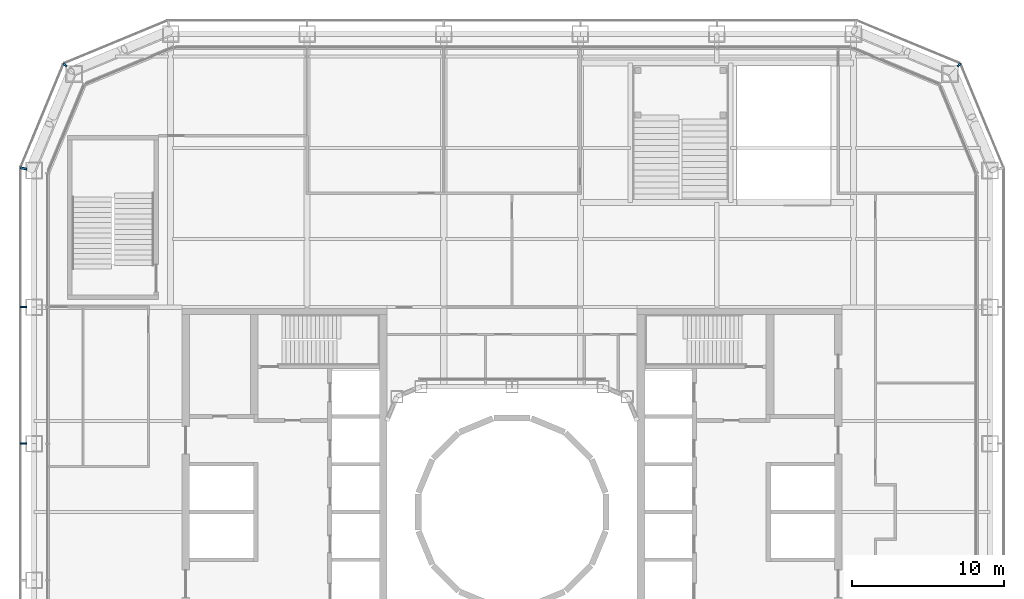
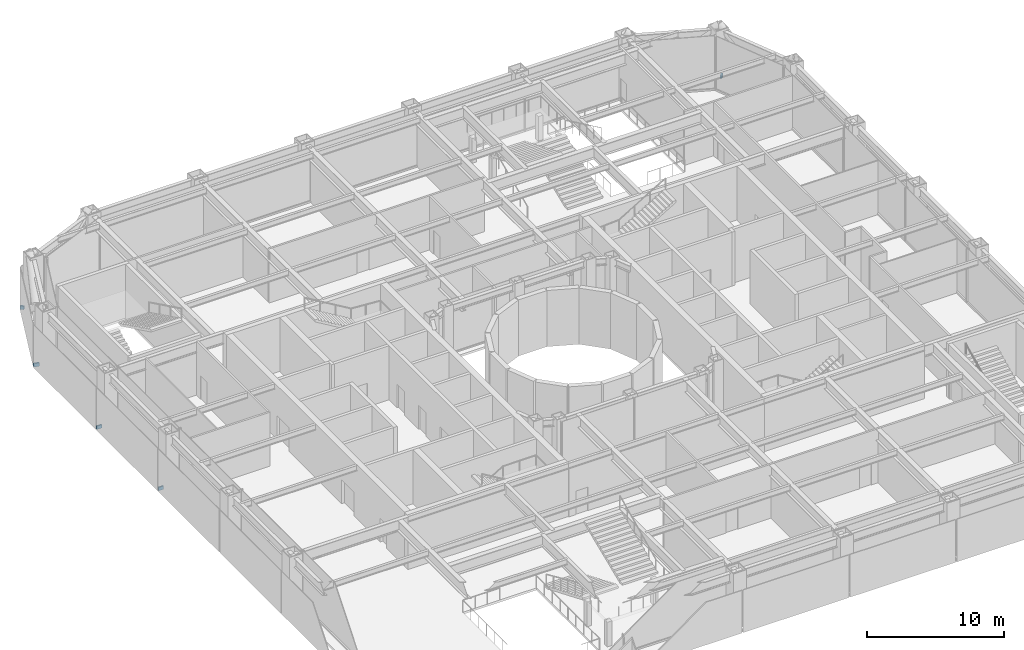
# One storey, part 18 of 25: 5 discrete accessories.
"""IFC4 building model written with IfcOpenShell, lengths in metres."""

import ifcopenshell
import ifcopenshell.guid

model = None  # the IFC model being written
_history = None  # IfcOwnerHistory: only IFC2X3 demands one
_inside = {}  # id of a spatial element -> (the spatial element, [elements in it])
_under = {}  # id of a project, library or spatial element -> (it, [spatial elements below it])
_declared = {}  # id of a project -> (the project, [libraries it declares])
_typed = {}  # id of a type object -> (the type object, [elements of that type])
_made_of = {}  # id of a material, layer set ... -> (it, [elements and type objects made of it])


def new_model(schema):
    """Start an empty IFC model of exactly this schema.

    Asked for "IFC4X3", IfcOpenShell would pick the latest addendum, in which some entities
    have other attributes; the version numbers below select the first issue.
    IFC2X3 requires an IfcOwnerHistory on every rooted entity: one is made here for all.
    """
    global model, _history
    if schema == "IFC4X3":
        model = ifcopenshell.file(schema_version=(4, 3, 0, 0))
    else:
        model = ifcopenshell.file(schema=schema)
    _inside.clear()
    _under.clear()
    _declared.clear()
    _typed.clear()
    _made_of.clear()
    _history = None
    if model.schema == "IFC2X3":
        org = make("IfcOrganization", Name="unknown")
        user = make(
            "IfcPersonAndOrganization",
            ThePerson=make("IfcPerson", FamilyName="unknown"),
            TheOrganization=org,
        )
        app = make(
            "IfcApplication",
            ApplicationDeveloper=org,
            Version="unknown",
            ApplicationFullName="unknown",
            ApplicationIdentifier="unknown",
        )
        _history = make(
            "IfcOwnerHistory",
            OwningUser=user,
            OwningApplication=app,
            ChangeAction="ADDED",
            CreationDate=0,
        )
    return model


def make(cls, **values):
    """One entity of the class cls with the attributes given. An attribute that is None is left unset."""
    return model.create_entity(
        cls, **{name: value for name, value in values.items() if value is not None}
    )


def rooted(cls, **values):
    """An entity with a GlobalId (a new one), such as an element, a storey or a relation."""
    return make(cls, GlobalId=ifcopenshell.guid.new(), OwnerHistory=_history, **values)


def si_unit(unit_type, name, prefix=None):
    """IfcSIUnit, for example si_unit("LENGTHUNIT", "METRE", prefix="MILLI")."""
    return make("IfcSIUnit", UnitType=unit_type, Prefix=prefix, Name=name)


def assignment(units):
    """IfcUnitAssignment: the units of a project."""
    return None if units is None else make("IfcUnitAssignment", Units=units)


def point(xyz):
    """IfcCartesianPoint."""
    return None if xyz is None else make("IfcCartesianPoint", Coordinates=xyz)


def direction(xyz):
    """IfcDirection."""
    return None if xyz is None else make("IfcDirection", DirectionRatios=xyz)


def frame(location, z_axis=None, x_axis=None):
    """IfcAxis2Placement3D, a coordinate frame: its origin and axes. An axis left out is left unset."""
    return make(
        "IfcAxis2Placement3D",
        Location=point(location),
        Axis=direction(z_axis),
        RefDirection=direction(x_axis),
    )


def frame_2d(location, x_axis=None):
    """IfcAxis2Placement2D, a coordinate frame in the plane: its origin and x axis."""
    return make(
        "IfcAxis2Placement2D", Location=point(location), RefDirection=direction(x_axis)
    )


def origin():
    """The frame at (0, 0, 0) with its axes left unset."""
    return frame((0.0, 0.0, 0.0))


def origin_2d():
    """The frame at (0, 0) in the plane with its x axis left unset."""
    return frame_2d((0.0, 0.0))


def place(relative_to, where):
    """IfcLocalPlacement: puts the frame where relative to a parent placement (None: the world)."""
    return make(
        "IfcLocalPlacement", PlacementRelTo=relative_to, RelativePlacement=where
    )


def context(
    kind, dimensions, precision=None, world=None, true_north=None, identifier=None
):
    """IfcGeometricRepresentationContext, for example the 3D "Model" context."""
    return make(
        "IfcGeometricRepresentationContext",
        ContextIdentifier=identifier,
        ContextType=kind,
        CoordinateSpaceDimension=dimensions,
        Precision=precision,
        WorldCoordinateSystem=world,
        TrueNorth=true_north,
    )


def subcontext(parent, identifier, kind, view, scale=None):
    """IfcGeometricRepresentationSubContext, for example "Body" below "Model"."""
    return make(
        "IfcGeometricRepresentationSubContext",
        ContextIdentifier=identifier,
        ContextType=kind,
        ParentContext=parent,
        TargetScale=scale,
        TargetView=view,
    )


def project(units=None, contexts=None):
    """IfcProject with its units and contexts."""
    return rooted(
        "IfcProject",
        Name="project",
        RepresentationContexts=contexts,
        UnitsInContext=assignment(units),
    )


def spatial(cls, under=None, at=None, **own):
    """A site, building, storey or space (cls), placed at a placement, below another one or the project."""
    s = rooted(cls, ObjectPlacement=at, **own)
    if under is not None:
        _under.setdefault(under.id(), (under, []))[1].append(s)
    return s


def profile(cls, at=None, kind="AREA", **sizes):
    """A parametric profile (cls). Its sizes go by their IFC names, for example OverallWidth=200.0."""
    return make(cls, ProfileType=kind, Position=at, **sizes)


def rectangle(**sizes):
    """IfcRectangleProfileDef."""
    return profile("IfcRectangleProfileDef", **sizes)


def extrude(swept, where, along, depth):
    """IfcExtrudedAreaSolid: the profile swept, set in the frame where, extruded along a direction by depth."""
    return make(
        "IfcExtrudedAreaSolid",
        SweptArea=swept,
        Position=where,
        ExtrudedDirection=direction(along),
        Depth=depth,
    )


def shape(context_of_items, identifier, shape_type, items):
    """IfcShapeRepresentation: the items that make up one representation, for example the "Body"."""
    return make(
        "IfcShapeRepresentation",
        ContextOfItems=context_of_items,
        RepresentationIdentifier=identifier,
        RepresentationType=shape_type,
        Items=items,
    )


def material(Name=None, Category=None):
    """IfcMaterial."""
    return make("IfcMaterial", Name=Name, Category=Category)


def made_of(thing, what):
    """Note that an element or type object is made of a material, layer set ...; save() writes the relation."""
    if what is not None:
        _made_of.setdefault(what.id(), (what, []))[1].append(thing)
    return thing


def type_object(cls, material=None, **own):
    """A type object (cls), such as IfcWallType, which elements share."""
    return made_of(rooted(cls, **own), material)


def element(
    cls,
    number,
    at=None,
    inside=None,
    cuts=None,
    type_object=None,
    material=None,
    context=None,
    identifier="Body",
    shape_type=None,
    held_by="IfcProductDefinitionShape",
    body=None,
    shapes=None,
    **own,
):
    """One element of the class cls, such as IfcWall. Its Tag is "e" and its number.

    at: its placement. inside: the storey or other place that contains it. cuts: it is an
    opening in that element (IfcRelVoidsElement). A single representation is given by context,
    identifier, shape_type and body (its items); several are given by shapes. held_by: the class
    of the entity that holds the representations. save() writes the other relations.
    """
    e = rooted(cls, Tag="e%d" % number, ObjectPlacement=at, **own)
    if body is not None:
        shapes = [shape(context, identifier, shape_type, body)]
    if shapes is not None:
        e.Representation = make(held_by, Representations=shapes)
    if inside is not None:
        _inside.setdefault(inside.id(), (inside, []))[1].append(e)
    if cuts is not None:
        rooted(
            "IfcRelVoidsElement", RelatingBuildingElement=cuts, RelatedOpeningElement=e
        )
    if type_object is not None:
        _typed.setdefault(type_object.id(), (type_object, []))[1].append(e)
    return made_of(e, material)


def aggregate(whole, parts):
    """IfcRelAggregates: a whole, such as a stair, and the parts it consists of."""
    return rooted("IfcRelAggregates", RelatingObject=whole, RelatedObjects=parts)


def save(model, path):
    """Write the relations noted so far, then the file.

    IfcRelAggregates (storeys below a building ...), IfcRelContainedInSpatialStructure (elements
    in a storey), IfcRelDefinesByType, IfcRelAssociatesMaterial and IfcRelDeclares: one each for
    every whole, place, type object, material and project.
    """
    for whole, parts in _under.values():
        aggregate(whole, parts)
    for where, things in _inside.values():
        rooted(
            "IfcRelContainedInSpatialStructure",
            RelatedElements=things,
            RelatingStructure=where,
        )
    for kind, things in _typed.values():
        rooted("IfcRelDefinesByType", RelatedObjects=things, RelatingType=kind)
    for what, things in _made_of.values():
        rooted("IfcRelAssociatesMaterial", RelatedObjects=things, RelatingMaterial=what)
    for by, libraries in _declared.values():
        rooted("IfcRelDeclares", RelatingContext=by, RelatedDefinitions=libraries)
    model.write(path)


model = new_model("IFC4")

# Units and contexts
model_context = context("Model", 3, precision=1e-05, world=origin(), true_north=direction((0.0, 1.0)))
body_context = subcontext(model_context, "Body", "Model", "MODEL_VIEW")
ifc_project = project(units=[si_unit("LENGTHUNIT", "METRE"), si_unit("AREAUNIT", "SQUARE_METRE"), si_unit("VOLUMEUNIT", "CUBIC_METRE"), si_unit("PLANEANGLEUNIT", "RADIAN"), si_unit("MASSUNIT", "GRAM", prefix="KILO")], contexts=[model_context])

# Site, building, storey
site_placement = place(None, origin())
site = spatial("IfcSite", under=ifc_project, at=site_placement, CompositionType="ELEMENT")
building_placement = place(site_placement, origin())
building = spatial("IfcBuilding", under=site, at=building_placement, Name="Siwar Civic Tower", CompositionType="ELEMENT")
storey_placement = place(building_placement, frame((0.0, 0.0, 7.199951171875)))
storey = spatial("IfcBuildingStorey", under=building, at=storey_placement, Name="L01", CompositionType="ELEMENT", Elevation=7.199951171875)

# Discrete accessories
ifc_material = material(Name="Stainless steel 316", Category="steel")
discrete_accessory_type = type_object("IfcDiscreteAccessoryType", Name="ENV-BRACKET", PredefinedType="BRACKET", material=ifc_material)
for number, where, z_axis, x_axis, name in (
    (1, (29.451416015625, 29.451416015625, -0.14990234375), (0.0, 0.0, 1.0), (0.707106781187, 0.707106781187, 0.0), "Bracket outer skin joint V05"),
    (2, (-29.451416015625, 29.451416015625, -0.14990234375), (0.0, 0.0, 1.0), (-0.707106781187, 0.707106781187, 0.0), "Bracket outer skin joint V08"),
):
    element("IfcDiscreteAccessory", number, at=place(storey_placement, frame(where, z_axis=z_axis, x_axis=x_axis)), inside=storey, type_object=discrete_accessory_type, Name=name, PredefinedType="BRACKET", context=body_context, shape_type="SweptSolid", body=[
        extrude(rectangle(XDim=0.287109375, YDim=0.12939453125, at=origin_2d()), origin(), (0.0, 0.0, 1.0), 0.300048828125),
    ])
discrete_accessory_placement = place(storey_placement, frame((-32.190185546875, 22.63720703125, -0.14990234375), z_axis=(0.0, 0.0, 1.0), x_axis=(-0.980785280403, 0.195090322016, 0.0)))
element("IfcDiscreteAccessory", 3, at=discrete_accessory_placement, inside=storey, type_object=discrete_accessory_type, Name="Bracket outer skin joint V09", PredefinedType="BRACKET", context=body_context, shape_type="SweptSolid", body=[
    extrude(rectangle(XDim=0.427734375, YDim=0.13720703125, at=origin_2d()), origin(), (0.0, 0.0, 1.0), 0.300048828125),
])
for number, where, z_axis, x_axis, name in (
    (4, (-32.18994140625, 13.5, -0.14990234375), (0.0, 0.0, 1.0), (-1.0, 0.0, 0.0), "Bracket outer skin joint W-01"),
    (5, (-32.18994140625, 4.5, -0.14990234375), (0.0, 0.0, 1.0), (-1.0, 0.0, 0.0), "Bracket outer skin joint W-02"),
):
    element("IfcDiscreteAccessory", number, at=place(storey_placement, frame(where, z_axis=z_axis, x_axis=x_axis)), inside=storey, type_object=discrete_accessory_type, Name=name, PredefinedType="BRACKET", context=body_context, shape_type="SweptSolid", body=[
        extrude(rectangle(XDim=0.419921875, YDim=0.10009765625, at=origin_2d()), origin(), (0.0, 0.0, 1.0), 0.300048828125),
    ])

save(model, "model.ifc")
